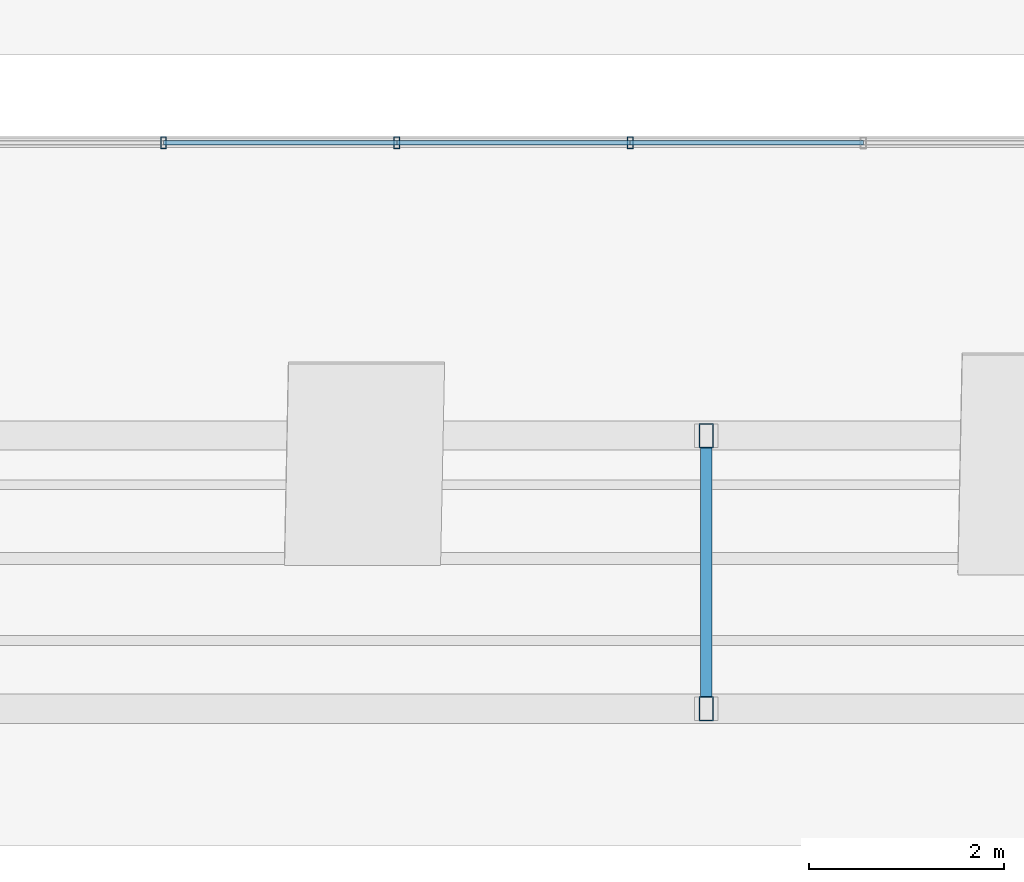
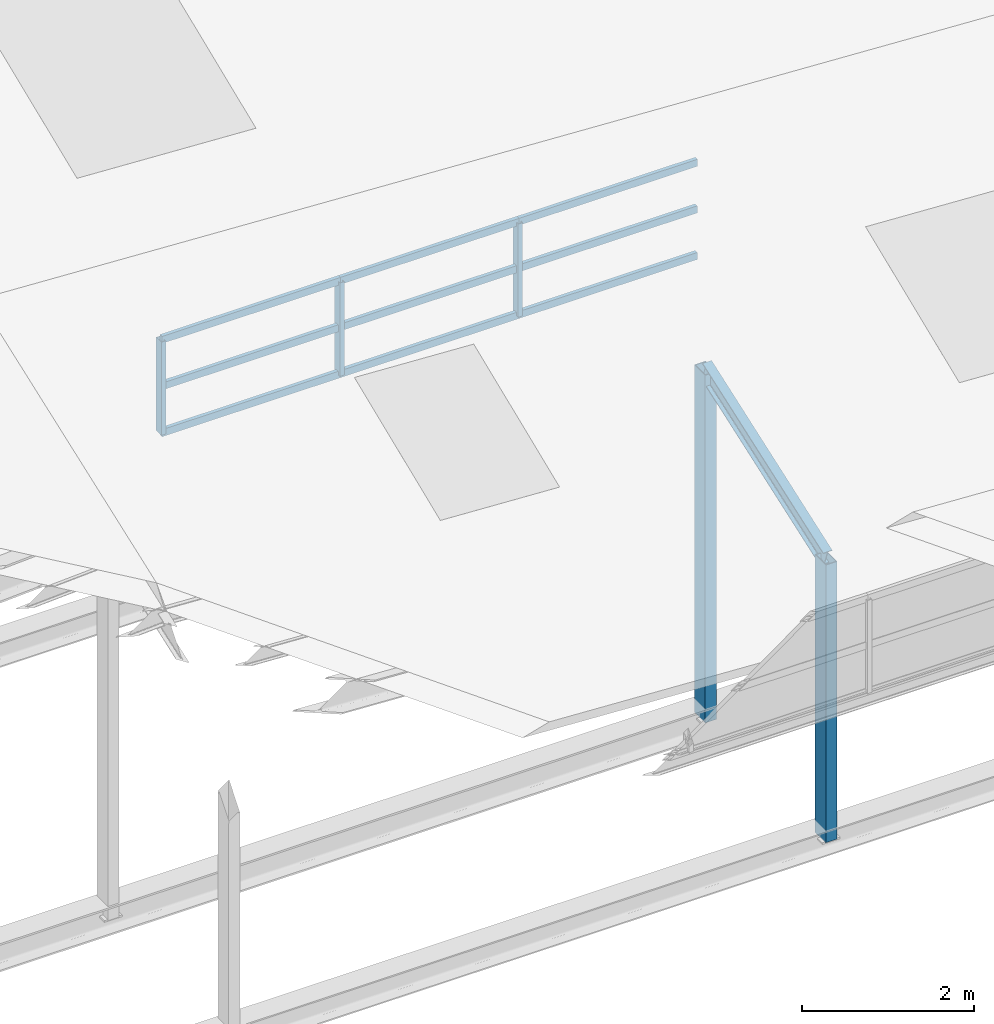
# One storey, part 107 of 141: 15 members, 1 element without a shape of its own.
"""IFC4 building model written with IfcOpenShell, lengths in metres."""

from ifc_helpers import new_model, si_unit, direction, frame, origin, origin_2d, place, context, subcontext, project, spatial, hollow_rectangle, i_section, extrude, material, material_profile, profile_set, type_object, element, aggregate, save


model = new_model("IFC4")

# Units and contexts
model_context = context("Model", 3, precision=1e-05, world=origin(), true_north=direction((0.0, 1.0)))
body_context = subcontext(model_context, "Body", "Model", "MODEL_VIEW")
ifc_project = project(units=[si_unit("LENGTHUNIT", "METRE"), si_unit("AREAUNIT", "SQUARE_METRE"), si_unit("VOLUMEUNIT", "CUBIC_METRE"), si_unit("PLANEANGLEUNIT", "RADIAN"), si_unit("MASSUNIT", "GRAM", prefix="KILO")], contexts=[model_context])

# Site, building, storey
site_placement = place(None, origin())
site = spatial("IfcSite", under=ifc_project, at=site_placement, CompositionType="ELEMENT")
building_placement = place(site_placement, origin())
building = spatial("IfcBuilding", under=site, at=building_placement, Name="Sundkrona Museum", CompositionType="ELEMENT")
storey_placement = place(building_placement, frame((0.0, 0.0, 34.0)))
storey = spatial("IfcBuildingStorey", under=building, at=storey_placement, Name="RF", CompositionType="ELEMENT", Elevation=34.0)

# Curtain wall, members
ifc_material_1 = material(Name="Unitised Aluminium-Steel and Ceramic-Clad Curtain Walling", Category="steel")
curtain_wall_type = type_object("IfcCurtainWallType", Name="CW-SW-240x13", PredefinedType="NOTDEFINED", material=ifc_material_1)
curtain_wall_placement = place(storey_placement, origin())
curtain_wall = element("IfcCurtainWall", 1, at=curtain_wall_placement, inside=storey, type_object=curtain_wall_type, Name="Sawtooth Bay 5 East North-Light Clerestory", PredefinedType="NOTDEFINED")
ifc_material_2 = material(Name="Aluminium EN AW-6060 T66", Category="aluminium")
ifc_material_profile_1 = material_profile(ifc_material_2, hollow_rectangle(XDim=0.06005859375, YDim=0.1201171875, WallThickness=0.0048828125, at=origin_2d()), Name="RHS 120x60x5.0")
ifc_profile_set_1 = profile_set([ifc_material_profile_1], Name="Aluminium EN AW-6060 T66")
member_type_1 = type_object("IfcMemberType", Name="ML-120", PredefinedType="MULLION", material=ifc_profile_set_1)
member_1_placement = place(storey_placement, frame((146.43994140625, 34.60009765625, 3.89306640625), z_axis=(0.0, 0.0, 1.0), x_axis=(1.0, 0.0, 0.0)))
member_1 = element("IfcMember", 2, at=member_1_placement, type_object=member_type_1, Name="CW-RF-SAW-05E Mullion 02", PredefinedType="MULLION", context=body_context, shape_type="SweptSolid", body=[
    extrude(hollow_rectangle(XDim=0.06005859375, YDim=0.1201171875, WallThickness=0.0048828125, at=origin_2d()), origin(), (0.0, 0.0, 1.0), 1.31982421875),
])
member_2_placement = place(storey_placement, frame((148.830078125, 34.60009765625, 3.89306640625), z_axis=(0.0, 0.0, 1.0), x_axis=(1.0, 0.0, 0.0)))
member_2 = element("IfcMember", 3, at=member_2_placement, type_object=member_type_1, Name="CW-RF-SAW-05E Mullion 03", PredefinedType="MULLION", context=body_context, shape_type="SweptSolid", body=[
    extrude(hollow_rectangle(XDim=0.06005859375, YDim=0.1201171875, WallThickness=0.0048828125, at=origin_2d()), origin(), (0.0, 0.0, 1.0), 1.31982421875),
])
member_3_placement = place(storey_placement, frame((151.219970703125, 34.60009765625, 3.89306640625), z_axis=(0.0, 0.0, 1.0), x_axis=(1.0, 0.0, 0.0)))
member_3 = element("IfcMember", 4, at=member_3_placement, type_object=member_type_1, Name="CW-RF-SAW-05E Mullion 04", PredefinedType="MULLION", context=body_context, shape_type="SweptSolid", body=[
    extrude(hollow_rectangle(XDim=0.06005859375, YDim=0.1201171875, WallThickness=0.0048828125, at=origin_2d()), origin(), (0.0, 0.0, 1.0), 1.31982421875),
])

# Members
ifc_material_3 = material(Name="Steel S355J2", Category="steel")
ifc_material_profile_2 = material_profile(ifc_material_3, i_section(OverallWidth=0.1201171875, OverallDepth=0.239990234375, WebThickness=0.006103515625, FlangeThickness=0.009765625, FilletRadius=0.014892578125, at=origin_2d()), Name="IPE 240")
ifc_profile_set_2 = profile_set([ifc_material_profile_2], Name="Steel S355J2")
member_type_2 = type_object("IfcMemberType", Name="PR-IPE240", PredefinedType="PURLIN", material=ifc_profile_set_2)
member_4_placement = place(storey_placement, frame((152.0, 28.800048828125, 3.6826171875), z_axis=(0.0, 0.942754878846, 0.333486489099), x_axis=(-1.0, 0.0, 0.0)))
element("IfcMember", 5, at=member_4_placement, inside=storey, type_object=member_type_2, Name="RFS-1 Sawtooth Bay 5 Transverse Rafter 5", PredefinedType="PURLIN", context=body_context, shape_type="SweptSolid", body=[
    extrude(i_section(OverallWidth=0.1201171875, OverallDepth=0.239990234375, WebThickness=0.006103515625, FlangeThickness=0.009765625, FilletRadius=0.014892578125, at=origin_2d()), origin(), (0.0, 0.0, 1.0), 2.969970703125),
])
ifc_material_profile_3 = material_profile(ifc_material_3, hollow_rectangle(XDim=0.14990234375, YDim=0.25, WallThickness=0.010009765625, at=origin_2d()), Name="RHS 250x150x10.0")
ifc_profile_set_3 = profile_set([ifc_material_profile_3], Name="Steel S355J2")
member_type_3 = type_object("IfcMemberType", Name="ST-RHS250", PredefinedType="STRUT", material=ifc_profile_set_3)
member_5_placement = place(storey_placement, frame((152.0, 31.60009765625, -0.25), z_axis=(0.0, 0.0, 1.0), x_axis=(1.0, 0.0, 0.0)))
element("IfcMember", 6, at=member_5_placement, inside=storey, type_object=member_type_3, Name="RFS-1 Sawtooth Truss 5 Vertical Post 5", PredefinedType="STRUT", context=body_context, shape_type="SweptSolid", body=[
    extrude(hollow_rectangle(XDim=0.14990234375, YDim=0.25, WallThickness=0.010009765625, at=origin_2d()), origin(), (0.0, 0.0, 1.0), 4.923095703125),
])
member_6_placement = place(storey_placement, frame((152.0, 28.800048828125, -0.25), z_axis=(0.0, 0.0, 1.0), x_axis=(1.0, 0.0, 0.0)))
element("IfcMember", 7, at=member_6_placement, inside=storey, type_object=member_type_3, Name="RFS-1 Sawtooth Bay 5 Valley Post 5", PredefinedType="STRUT", context=body_context, shape_type="SweptSolid", body=[
    extrude(hollow_rectangle(XDim=0.14990234375, YDim=0.25, WallThickness=0.010009765625, at=origin_2d()), origin(), (0.0, 0.0, 1.0), 3.9326171875),
])

# Member
ifc_material_profile_4 = material_profile(ifc_material_2, hollow_rectangle(XDim=0.050048828125, YDim=0.10009765625, WallThickness=0.0048828125, at=origin_2d()), Name="RHS 100x50x5.0")
ifc_profile_set_4 = profile_set([ifc_material_profile_4], Name="Aluminium EN AW-6060 T66")
member_type_4 = type_object("IfcMemberType", Name="TR-100", PredefinedType="USERDEFINED", material=ifc_profile_set_4)
member_7_placement = place(storey_placement, frame((146.43994140625, 34.60009765625, 3.89306640625), z_axis=(1.0, 0.0, 0.0), x_axis=(0.0, 1.0, 0.0)))
member_7 = element("IfcMember", 8, at=member_7_placement, type_object=member_type_4, Name="CW-RF-SAW-05E Transom 04", ObjectType="TRANSOM", PredefinedType="USERDEFINED", context=body_context, shape_type="SweptSolid", body=[
    extrude(hollow_rectangle(XDim=0.050048828125, YDim=0.10009765625, WallThickness=0.0048828125, at=origin_2d()), origin(), (0.0, 0.0, 1.0), 2.39013671875),
])

member_8_placement = place(storey_placement, frame((146.43994140625, 34.60009765625, 4.552978515625), z_axis=(1.0, 0.0, 0.0), x_axis=(0.0, 1.0, 0.0)))
member_8 = element("IfcMember", 9, at=member_8_placement, type_object=member_type_4, Name="CW-RF-SAW-05E Transom 05", ObjectType="TRANSOM", PredefinedType="USERDEFINED", context=body_context, shape_type="SweptSolid", body=[
    extrude(hollow_rectangle(XDim=0.050048828125, YDim=0.10009765625, WallThickness=0.0048828125, at=origin_2d()), origin(), (0.0, 0.0, 1.0), 2.39013671875),
])

member_9_placement = place(storey_placement, frame((146.43994140625, 34.60009765625, 5.212890625), z_axis=(1.0, 0.0, 0.0), x_axis=(0.0, 1.0, 0.0)))
member_9 = element("IfcMember", 10, at=member_9_placement, type_object=member_type_4, Name="CW-RF-SAW-05E Transom 06", ObjectType="TRANSOM", PredefinedType="USERDEFINED", context=body_context, shape_type="SweptSolid", body=[
    extrude(hollow_rectangle(XDim=0.050048828125, YDim=0.10009765625, WallThickness=0.0048828125, at=origin_2d()), origin(), (0.0, 0.0, 1.0), 2.39013671875),
])

member_10_placement = place(storey_placement, frame((148.830078125, 34.60009765625, 3.89306640625), z_axis=(1.0, 0.0, 0.0), x_axis=(0.0, 1.0, 0.0)))
member_10 = element("IfcMember", 11, at=member_10_placement, type_object=member_type_4, Name="CW-RF-SAW-05E Transom 07", ObjectType="TRANSOM", PredefinedType="USERDEFINED", context=body_context, shape_type="SweptSolid", body=[
    extrude(hollow_rectangle(XDim=0.050048828125, YDim=0.10009765625, WallThickness=0.0048828125, at=origin_2d()), origin(), (0.0, 0.0, 1.0), 2.389892578125),
])

member_11_placement = place(storey_placement, frame((148.830078125, 34.60009765625, 4.552978515625), z_axis=(1.0, 0.0, 0.0), x_axis=(0.0, 1.0, 0.0)))
member_11 = element("IfcMember", 12, at=member_11_placement, type_object=member_type_4, Name="CW-RF-SAW-05E Transom 08", ObjectType="TRANSOM", PredefinedType="USERDEFINED", context=body_context, shape_type="SweptSolid", body=[
    extrude(hollow_rectangle(XDim=0.050048828125, YDim=0.10009765625, WallThickness=0.0048828125, at=origin_2d()), origin(), (0.0, 0.0, 1.0), 2.389892578125),
])

member_12_placement = place(storey_placement, frame((148.830078125, 34.60009765625, 5.212890625), z_axis=(1.0, 0.0, 0.0), x_axis=(0.0, 1.0, 0.0)))
member_12 = element("IfcMember", 13, at=member_12_placement, type_object=member_type_4, Name="CW-RF-SAW-05E Transom 09", ObjectType="TRANSOM", PredefinedType="USERDEFINED", context=body_context, shape_type="SweptSolid", body=[
    extrude(hollow_rectangle(XDim=0.050048828125, YDim=0.10009765625, WallThickness=0.0048828125, at=origin_2d()), origin(), (0.0, 0.0, 1.0), 2.389892578125),
])

member_13_placement = place(storey_placement, frame((151.219970703125, 34.60009765625, 3.89306640625), z_axis=(1.0, 0.0, 0.0), x_axis=(0.0, 1.0, 0.0)))
member_13 = element("IfcMember", 14, at=member_13_placement, type_object=member_type_4, Name="CW-RF-SAW-05E Transom 10", ObjectType="TRANSOM", PredefinedType="USERDEFINED", context=body_context, shape_type="SweptSolid", body=[
    extrude(hollow_rectangle(XDim=0.050048828125, YDim=0.10009765625, WallThickness=0.0048828125, at=origin_2d()), origin(), (0.0, 0.0, 1.0), 2.39013671875),
])

member_14_placement = place(storey_placement, frame((151.219970703125, 34.60009765625, 4.552978515625), z_axis=(1.0, 0.0, 0.0), x_axis=(0.0, 1.0, 0.0)))
member_14 = element("IfcMember", 15, at=member_14_placement, type_object=member_type_4, Name="CW-RF-SAW-05E Transom 11", ObjectType="TRANSOM", PredefinedType="USERDEFINED", context=body_context, shape_type="SweptSolid", body=[
    extrude(hollow_rectangle(XDim=0.050048828125, YDim=0.10009765625, WallThickness=0.0048828125, at=origin_2d()), origin(), (0.0, 0.0, 1.0), 2.39013671875),
])

member_15_placement = place(storey_placement, frame((151.219970703125, 34.60009765625, 5.212890625), z_axis=(1.0, 0.0, 0.0), x_axis=(0.0, 1.0, 0.0)))
member_15 = element("IfcMember", 16, at=member_15_placement, type_object=member_type_4, Name="CW-RF-SAW-05E Transom 12", ObjectType="TRANSOM", PredefinedType="USERDEFINED", context=body_context, shape_type="SweptSolid", body=[
    extrude(hollow_rectangle(XDim=0.050048828125, YDim=0.10009765625, WallThickness=0.0048828125, at=origin_2d()), origin(), (0.0, 0.0, 1.0), 2.39013671875),
])

aggregate(curtain_wall, [member_1, member_2, member_3, member_7, member_8, member_9, member_10, member_11, member_12, member_13, member_14, member_15])

save(model, "model.ifc")
